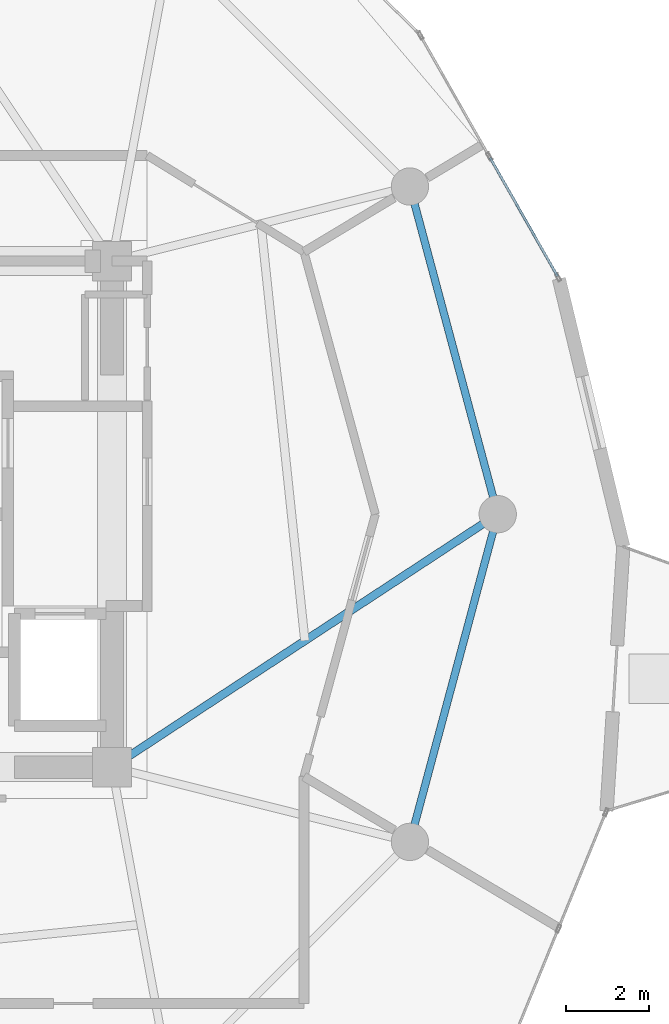
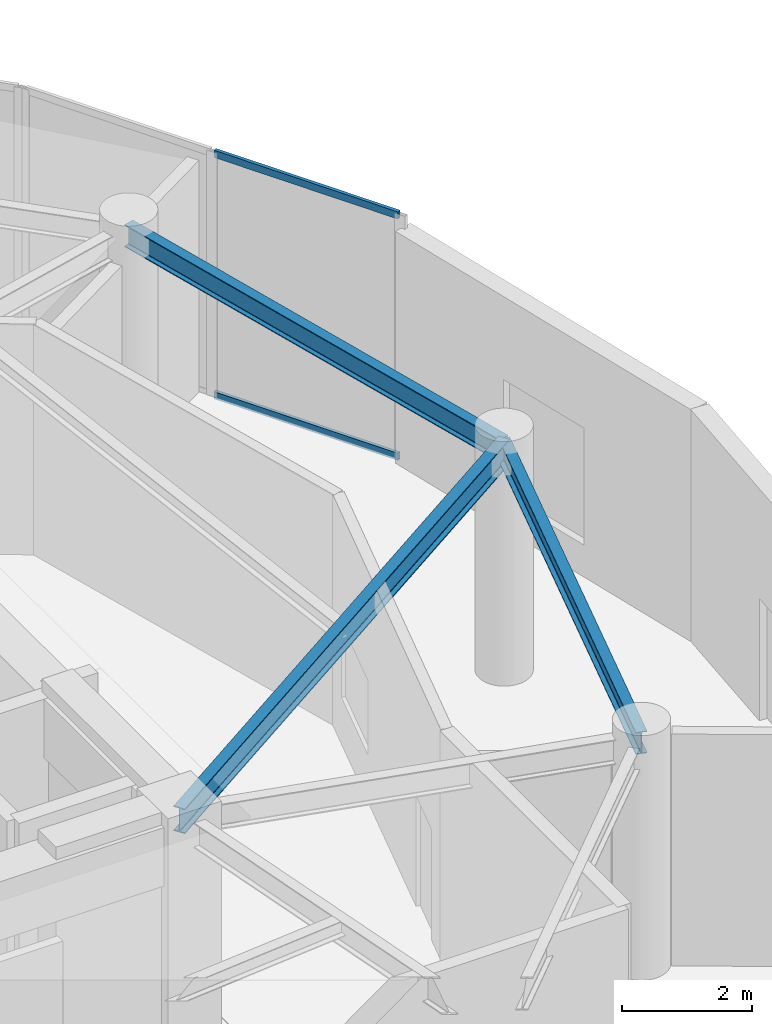
# One storey, part 12 of 23: 3 beams, 2 members, 1 element without a shape of its own.
"""IFC4 building model written with IfcOpenShell, lengths in metres."""

import ifcopenshell
import ifcopenshell.guid

model = None  # the IFC model being written
_history = None  # IfcOwnerHistory: only IFC2X3 demands one
_inside = {}  # id of a spatial element -> (the spatial element, [elements in it])
_under = {}  # id of a project, library or spatial element -> (it, [spatial elements below it])
_declared = {}  # id of a project -> (the project, [libraries it declares])
_typed = {}  # id of a type object -> (the type object, [elements of that type])
_made_of = {}  # id of a material, layer set ... -> (it, [elements and type objects made of it])


def new_model(schema):
    """Start an empty IFC model of exactly this schema.

    Asked for "IFC4X3", IfcOpenShell would pick the latest addendum, in which some entities
    have other attributes; the version numbers below select the first issue.
    IFC2X3 requires an IfcOwnerHistory on every rooted entity: one is made here for all.
    """
    global model, _history
    if schema == "IFC4X3":
        model = ifcopenshell.file(schema_version=(4, 3, 0, 0))
    else:
        model = ifcopenshell.file(schema=schema)
    _inside.clear()
    _under.clear()
    _declared.clear()
    _typed.clear()
    _made_of.clear()
    _history = None
    if model.schema == "IFC2X3":
        org = make("IfcOrganization", Name="unknown")
        user = make(
            "IfcPersonAndOrganization",
            ThePerson=make("IfcPerson", FamilyName="unknown"),
            TheOrganization=org,
        )
        app = make(
            "IfcApplication",
            ApplicationDeveloper=org,
            Version="unknown",
            ApplicationFullName="unknown",
            ApplicationIdentifier="unknown",
        )
        _history = make(
            "IfcOwnerHistory",
            OwningUser=user,
            OwningApplication=app,
            ChangeAction="ADDED",
            CreationDate=0,
        )
    return model


def make(cls, **values):
    """One entity of the class cls with the attributes given. An attribute that is None is left unset."""
    return model.create_entity(
        cls, **{name: value for name, value in values.items() if value is not None}
    )


def rooted(cls, **values):
    """An entity with a GlobalId (a new one), such as an element, a storey or a relation."""
    return make(cls, GlobalId=ifcopenshell.guid.new(), OwnerHistory=_history, **values)


def si_unit(unit_type, name, prefix=None):
    """IfcSIUnit, for example si_unit("LENGTHUNIT", "METRE", prefix="MILLI")."""
    return make("IfcSIUnit", UnitType=unit_type, Prefix=prefix, Name=name)


def assignment(units):
    """IfcUnitAssignment: the units of a project."""
    return None if units is None else make("IfcUnitAssignment", Units=units)


def point(xyz):
    """IfcCartesianPoint."""
    return None if xyz is None else make("IfcCartesianPoint", Coordinates=xyz)


def direction(xyz):
    """IfcDirection."""
    return None if xyz is None else make("IfcDirection", DirectionRatios=xyz)


def frame(location, z_axis=None, x_axis=None):
    """IfcAxis2Placement3D, a coordinate frame: its origin and axes. An axis left out is left unset."""
    return make(
        "IfcAxis2Placement3D",
        Location=point(location),
        Axis=direction(z_axis),
        RefDirection=direction(x_axis),
    )


def frame_2d(location, x_axis=None):
    """IfcAxis2Placement2D, a coordinate frame in the plane: its origin and x axis."""
    return make(
        "IfcAxis2Placement2D", Location=point(location), RefDirection=direction(x_axis)
    )


def origin():
    """The frame at (0, 0, 0) with its axes left unset."""
    return frame((0.0, 0.0, 0.0))


def origin_2d():
    """The frame at (0, 0) in the plane with its x axis left unset."""
    return frame_2d((0.0, 0.0))


def place(relative_to, where):
    """IfcLocalPlacement: puts the frame where relative to a parent placement (None: the world)."""
    return make(
        "IfcLocalPlacement", PlacementRelTo=relative_to, RelativePlacement=where
    )


def context(
    kind, dimensions, precision=None, world=None, true_north=None, identifier=None
):
    """IfcGeometricRepresentationContext, for example the 3D "Model" context."""
    return make(
        "IfcGeometricRepresentationContext",
        ContextIdentifier=identifier,
        ContextType=kind,
        CoordinateSpaceDimension=dimensions,
        Precision=precision,
        WorldCoordinateSystem=world,
        TrueNorth=true_north,
    )


def subcontext(parent, identifier, kind, view, scale=None):
    """IfcGeometricRepresentationSubContext, for example "Body" below "Model"."""
    return make(
        "IfcGeometricRepresentationSubContext",
        ContextIdentifier=identifier,
        ContextType=kind,
        ParentContext=parent,
        TargetScale=scale,
        TargetView=view,
    )


def project(units=None, contexts=None):
    """IfcProject with its units and contexts."""
    return rooted(
        "IfcProject",
        Name="project",
        RepresentationContexts=contexts,
        UnitsInContext=assignment(units),
    )


def spatial(cls, under=None, at=None, **own):
    """A site, building, storey or space (cls), placed at a placement, below another one or the project."""
    s = rooted(cls, ObjectPlacement=at, **own)
    if under is not None:
        _under.setdefault(under.id(), (under, []))[1].append(s)
    return s


def profile(cls, at=None, kind="AREA", **sizes):
    """A parametric profile (cls). Its sizes go by their IFC names, for example OverallWidth=200.0."""
    return make(cls, ProfileType=kind, Position=at, **sizes)


def hollow_rectangle(**sizes):
    """IfcRectangleHollowProfileDef."""
    return profile("IfcRectangleHollowProfileDef", **sizes)


def i_section(**sizes):
    """IfcIShapeProfileDef."""
    return profile("IfcIShapeProfileDef", **sizes)


def extrude(swept, where, along, depth):
    """IfcExtrudedAreaSolid: the profile swept, set in the frame where, extruded along a direction by depth."""
    return make(
        "IfcExtrudedAreaSolid",
        SweptArea=swept,
        Position=where,
        ExtrudedDirection=direction(along),
        Depth=depth,
    )


def shape(context_of_items, identifier, shape_type, items):
    """IfcShapeRepresentation: the items that make up one representation, for example the "Body"."""
    return make(
        "IfcShapeRepresentation",
        ContextOfItems=context_of_items,
        RepresentationIdentifier=identifier,
        RepresentationType=shape_type,
        Items=items,
    )


def source(mapping_origin, context_of_items, identifier, shape_type, items):
    """IfcRepresentationMap: a shape defined once, which mapped items show again and again."""
    return make(
        "IfcRepresentationMap",
        MappingOrigin=mapping_origin,
        MappedRepresentation=shape(context_of_items, identifier, shape_type, items),
    )


def transform(
    local_origin,
    x_axis=None,
    y_axis=None,
    z_axis=None,
    scale=None,
    scale2=None,
    scale3=None,
    uniform=True,
):
    """IfcCartesianTransformationOperator3D, or its non-uniform kind. x_axis, y_axis, z_axis: its Axis1, 2, 3."""
    if uniform:
        return make(
            "IfcCartesianTransformationOperator3D",
            Axis1=direction(x_axis),
            Axis2=direction(y_axis),
            LocalOrigin=point(local_origin),
            Scale=scale,
            Axis3=direction(z_axis),
        )
    return make(
        "IfcCartesianTransformationOperator3DnonUniform",
        Axis1=direction(x_axis),
        Axis2=direction(y_axis),
        LocalOrigin=point(local_origin),
        Scale=scale,
        Axis3=direction(z_axis),
        Scale2=scale2,
        Scale3=scale3,
    )


def mapped(mapping_source, mapping_target):
    """IfcMappedItem: shows the shape of a source again, moved by a transform."""
    return make(
        "IfcMappedItem", MappingSource=mapping_source, MappingTarget=mapping_target
    )


def material(Name=None, Category=None):
    """IfcMaterial."""
    return make("IfcMaterial", Name=Name, Category=Category)


def layer(
    of_material, thickness, ventilated=None, Name=None, Category=None, Priority=None
):
    """IfcMaterialLayer: one layer of a wall or slab, of a material (None: an air gap)."""
    return make(
        "IfcMaterialLayer",
        Material=of_material,
        LayerThickness=thickness,
        IsVentilated=ventilated,
        Name=Name,
        Category=Category,
        Priority=Priority,
    )


def layer_set(layers, Name=None):
    """IfcMaterialLayerSet."""
    return make("IfcMaterialLayerSet", MaterialLayers=layers, LayerSetName=Name)


def material_profile(
    of_material, cross_section, Name=None, Category=None, Priority=None
):
    """IfcMaterialProfile: a cross section and its material."""
    return make(
        "IfcMaterialProfile",
        Name=Name,
        Material=of_material,
        Profile=cross_section,
        Priority=Priority,
        Category=Category,
    )


def profile_set(profiles, Name=None, composite=None):
    """IfcMaterialProfileSet."""
    return make(
        "IfcMaterialProfileSet",
        Name=Name,
        MaterialProfiles=profiles,
        CompositeProfile=composite,
    )


def made_of(thing, what):
    """Note that an element or type object is made of a material, layer set ...; save() writes the relation."""
    if what is not None:
        _made_of.setdefault(what.id(), (what, []))[1].append(thing)
    return thing


def type_object(cls, material=None, **own):
    """A type object (cls), such as IfcWallType, which elements share."""
    return made_of(rooted(cls, **own), material)


def element(
    cls,
    number,
    at=None,
    inside=None,
    cuts=None,
    type_object=None,
    material=None,
    context=None,
    identifier="Body",
    shape_type=None,
    held_by="IfcProductDefinitionShape",
    body=None,
    shapes=None,
    **own,
):
    """One element of the class cls, such as IfcWall. Its Tag is "e" and its number.

    at: its placement. inside: the storey or other place that contains it. cuts: it is an
    opening in that element (IfcRelVoidsElement). A single representation is given by context,
    identifier, shape_type and body (its items); several are given by shapes. held_by: the class
    of the entity that holds the representations. save() writes the other relations.
    """
    e = rooted(cls, Tag="e%d" % number, ObjectPlacement=at, **own)
    if body is not None:
        shapes = [shape(context, identifier, shape_type, body)]
    if shapes is not None:
        e.Representation = make(held_by, Representations=shapes)
    if inside is not None:
        _inside.setdefault(inside.id(), (inside, []))[1].append(e)
    if cuts is not None:
        rooted(
            "IfcRelVoidsElement", RelatingBuildingElement=cuts, RelatedOpeningElement=e
        )
    if type_object is not None:
        _typed.setdefault(type_object.id(), (type_object, []))[1].append(e)
    return made_of(e, material)


def aggregate(whole, parts):
    """IfcRelAggregates: a whole, such as a stair, and the parts it consists of."""
    return rooted("IfcRelAggregates", RelatingObject=whole, RelatedObjects=parts)


def save(model, path):
    """Write the relations noted so far, then the file.

    IfcRelAggregates (storeys below a building ...), IfcRelContainedInSpatialStructure (elements
    in a storey), IfcRelDefinesByType, IfcRelAssociatesMaterial and IfcRelDeclares: one each for
    every whole, place, type object, material and project.
    """
    for whole, parts in _under.values():
        aggregate(whole, parts)
    for where, things in _inside.values():
        rooted(
            "IfcRelContainedInSpatialStructure",
            RelatedElements=things,
            RelatingStructure=where,
        )
    for kind, things in _typed.values():
        rooted("IfcRelDefinesByType", RelatedObjects=things, RelatingType=kind)
    for what, things in _made_of.values():
        rooted("IfcRelAssociatesMaterial", RelatedObjects=things, RelatingMaterial=what)
    for by, libraries in _declared.values():
        rooted("IfcRelDeclares", RelatingContext=by, RelatedDefinitions=libraries)
    model.write(path)


model = new_model("IFC4")

# Units and contexts
model_context = context("Model", 3, precision=1e-05, world=origin(), true_north=direction((0.0, 1.0)))
body_context = subcontext(model_context, "Body", "Model", "MODEL_VIEW")
ifc_project = project(units=[si_unit("LENGTHUNIT", "METRE"), si_unit("AREAUNIT", "SQUARE_METRE"), si_unit("VOLUMEUNIT", "CUBIC_METRE"), si_unit("PLANEANGLEUNIT", "RADIAN"), si_unit("MASSUNIT", "GRAM", prefix="KILO")], contexts=[model_context])

# Site, building, storey
site_placement = place(None, origin())
site = spatial("IfcSite", under=ifc_project, at=site_placement, CompositionType="ELEMENT")
building_placement = place(site_placement, origin())
building = spatial("IfcBuilding", under=site, at=building_placement, Name="Solvirekh Grand Hotel", CompositionType="ELEMENT")
storey_placement = place(building_placement, frame((0.0, 0.0, 168.60009765625)))
storey = spatial("IfcBuildingStorey", under=building, at=storey_placement, Name="L43", CompositionType="ELEMENT", Elevation=168.60009765625)

# Beams
ifc_material_1 = material(Name="Steel S355", Category="steel")
ifc_material_profile_1 = material_profile(ifc_material_1, i_section(OverallWidth=0.194091796875, OverallDepth=0.468994140625, WebThickness=0.010986328125, FlangeThickness=0.01904296875, FilletRadius=0.012939453125, at=origin_2d()), Name="W460X106")
ifc_profile_set_1 = profile_set([ifc_material_profile_1], Name="Steel S355")
beam_type_1 = type_object("IfcBeamType", Name="Beam_Radial_W460H", PredefinedType="BEAM", material=ifc_profile_set_1)
beam_placement = place(storey_placement, frame((6.5, -6.10009765625, 4.1259765625), z_axis=(0.836174064962, 0.548464158432, 0.0), x_axis=(-0.548464158432, 0.836174064962, 0.0)))
element("IfcBeam", 1, at=beam_placement, inside=storey, type_object=beam_type_1, Name="L43 radial floor beam R01", PredefinedType="BEAM", context=body_context, shape_type="SweptSolid", body=[
    extrude(i_section(OverallWidth=0.194091796875, OverallDepth=0.468994140625, WebThickness=0.010986328125, FlangeThickness=0.01904296875, FilletRadius=0.012939453125, at=origin_2d()), origin(), (0.0, 0.0, 1.0), 11.1220703125),
])
ifc_material_profile_2 = material_profile(ifc_material_1, i_section(OverallWidth=0.180908203125, OverallDepth=0.4169921875, WebThickness=0.010009765625, FlangeThickness=0.01611328125, FilletRadius=0.011962890625, at=origin_2d()), Name="W410X85")
ifc_profile_set_2 = profile_set([ifc_material_profile_2], Name="Steel S355")
beam_type_2 = type_object("IfcBeamType", Name="Spandrel_Ring_W410", PredefinedType="SPANDREL", material=ifc_profile_set_2)
for number, where, z_axis, x_axis, name in (
    (2, (15.800048828125, 0.0, 4.15185546875), (-0.258838541915, 0.965920601923, 0.0), (-0.965920601923, -0.258838541915, 0.0), "L43 perimeter spandrel beam 1"),
    (3, (13.68310546875, -7.89990234375, 4.15185546875), (0.258838541915, 0.965920601923, 0.0), (-0.965920601923, 0.258838541915, 0.0), "L43 perimeter spandrel beam 12"),
):
    element("IfcBeam", number, at=place(storey_placement, frame(where, z_axis=z_axis, x_axis=x_axis)), inside=storey, type_object=beam_type_2, Name=name, PredefinedType="SPANDREL", context=body_context, shape_type="SweptSolid", body=[
        extrude(i_section(OverallWidth=0.180908203125, OverallDepth=0.4169921875, WebThickness=0.010009765625, FlangeThickness=0.01611328125, FilletRadius=0.011962890625, at=origin_2d()), origin(), (0.0, 0.0, 1.0), 8.1787109375),
    ])

# Curtain wall, members
ifc_material_2 = material(Name="Anodized Bronze Aluminium 6063-T6", Category="aluminium")
ifc_layer = layer(ifc_material_2, 0.18994140625)
ifc_layer_set = layer_set([ifc_layer], Name="Anodized Bronze Aluminium 6063-T6")
curtain_wall_type = type_object("IfcCurtainWallType", Name="CW_Sys5_SkyLobbyPanoramaCW", PredefinedType="NOTDEFINED", material=ifc_layer_set)
curtain_wall_placement = place(storey_placement, origin())
curtain_wall = element("IfcCurtainWall", 4, at=curtain_wall_placement, inside=storey, type_object=curtain_wall_type, Name="L43 unitised bronze-glass curtain wall CW-L43-C05", PredefinedType="NOTDEFINED")
ifc_material_profile_3 = material_profile(ifc_material_2, hollow_rectangle(XDim=0.06005859375, YDim=0.135009765625, WallThickness=0.00390625, at=origin_2d()), Name="ALU RHS 135X60X4")
ifc_profile_set_3 = profile_set([ifc_material_profile_3], Name="Anodized Bronze Aluminium 6063-T6")
member_type = type_object("IfcMemberType", Name="CWTransom_Sys5", PredefinedType="USERDEFINED", material=ifc_profile_set_3)
shared_shape = source(origin(), body_context, "Body", "SweptSolid", [
    extrude(hollow_rectangle(XDim=0.06005859375, YDim=0.135009765625, WallThickness=0.00390625, at=origin_2d()), origin(), (0.0, 0.0, 1.0), 3.28759765625),
])
member_1_placement = place(storey_placement, frame((17.241455078125, 5.73583984375, 0.02978515625), z_axis=(-0.494658691946, 0.869087325004, 0.0), x_axis=(-0.869087325004, -0.494658691946, 0.0)))
member_1 = element("IfcMember", 5, at=member_1_placement, type_object=member_type, Name="U05 transom 1.1", ObjectType="TRANSOM", PredefinedType="USERDEFINED", context=body_context, shape_type="MappedRepresentation", body=[
    mapped(shared_shape, transform((0.0, 0.0, 0.0), x_axis=(1.0, 0.0, 0.0), y_axis=(0.0, 1.0, 0.0), z_axis=(0.0, 0.0, 1.0), scale=1.0)),
])
member_2_placement = place(storey_placement, frame((17.241455078125, 5.73583984375, 4.56982421875), z_axis=(-0.494658691946, 0.869087325004, 0.0), x_axis=(-0.869087325004, -0.494658691946, 0.0)))
member_2 = element("IfcMember", 6, at=member_2_placement, type_object=member_type, Name="U05 transom 1.2", ObjectType="TRANSOM", PredefinedType="USERDEFINED", context=body_context, shape_type="MappedRepresentation", body=[
    mapped(shared_shape, transform((0.0, 0.0, 0.0), x_axis=(1.0, 0.0, 0.0), y_axis=(0.0, 1.0, 0.0), z_axis=(0.0, 0.0, 1.0), scale=1.0)),
])
aggregate(curtain_wall, [member_1, member_2])

save(model, "model.ifc")
